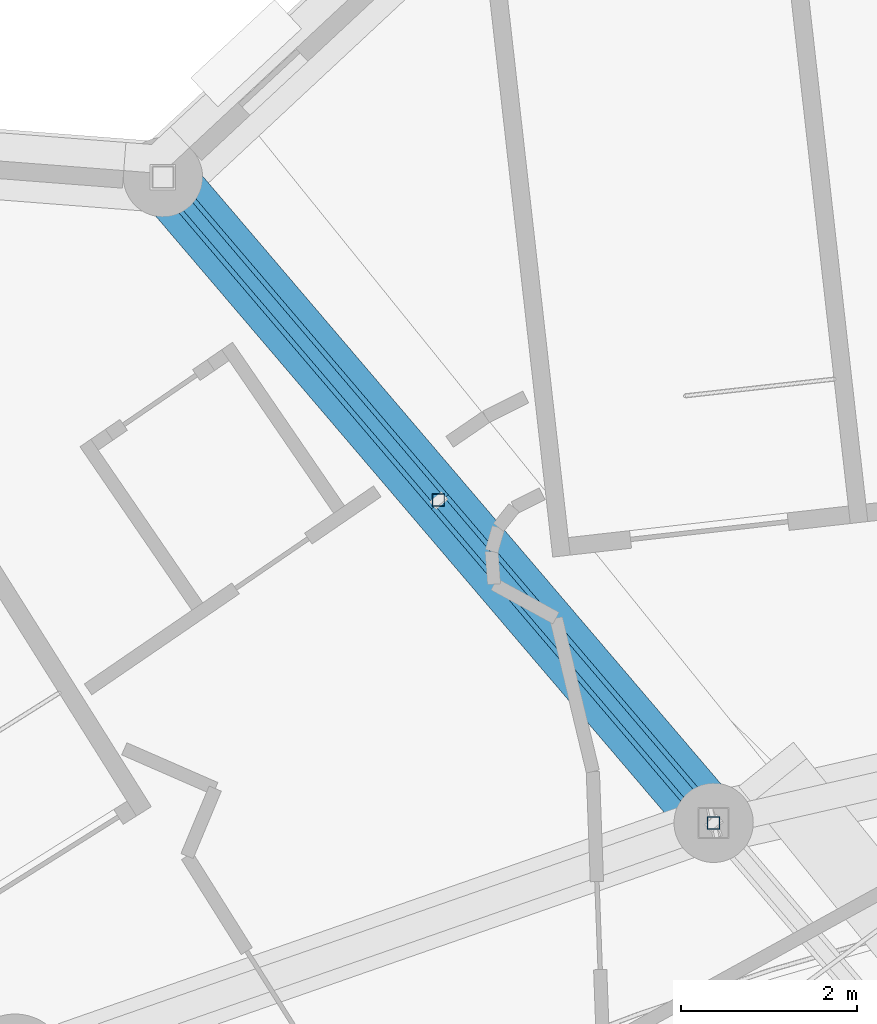
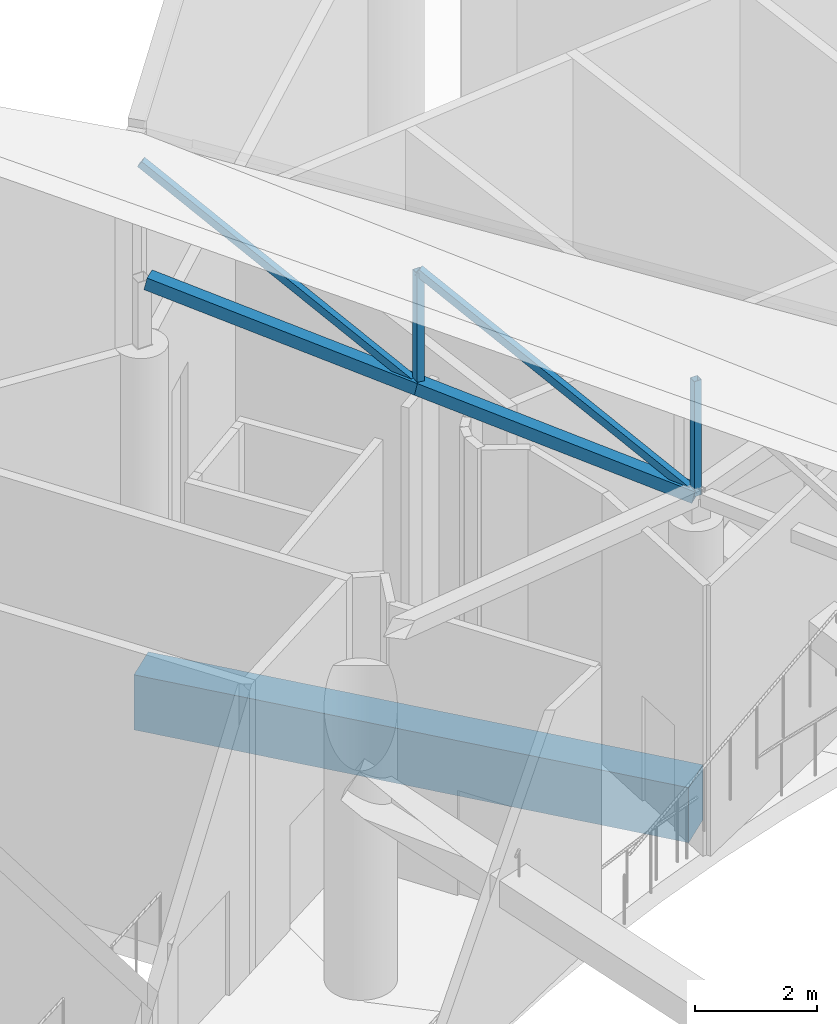
# One storey, part 159 of 344: 6 members, 1 beam.
"""IFC4 building model written with IfcOpenShell, lengths in metres."""

from ifc_helpers import new_model, si_unit, direction, frame, origin, origin_2d, place, context, subcontext, project, spatial, rectangle, hollow_rectangle, extrude, material, material_profile, profile_set, type_object, element, save


model = new_model("IFC4")

# Units and contexts
model_context = context("Model", 3, precision=1e-05, world=origin(), true_north=direction((0.0, 1.0)))
body_context = subcontext(model_context, "Body", "Model", "MODEL_VIEW")
ifc_project = project(units=[si_unit("LENGTHUNIT", "METRE"), si_unit("AREAUNIT", "SQUARE_METRE"), si_unit("VOLUMEUNIT", "CUBIC_METRE"), si_unit("PLANEANGLEUNIT", "RADIAN"), si_unit("MASSUNIT", "GRAM", prefix="KILO")], contexts=[model_context])

# Site, building, storey
site_placement = place(None, origin())
site = spatial("IfcSite", under=ifc_project, at=site_placement, CompositionType="ELEMENT")
building_placement = place(site_placement, origin())
building = spatial("IfcBuilding", under=site, at=building_placement, Name="Meseta Stadium", CompositionType="ELEMENT")
storey_placement = place(building_placement, frame((0.0, 0.0, 24.0)))
storey = spatial("IfcBuildingStorey", under=building, at=storey_placement, Name="L04", CompositionType="ELEMENT", Elevation=24.0)

# Beam
ifc_material_1 = material(Name="Concrete C40/50", Category="concrete")
ifc_material_profile_1 = material_profile(ifc_material_1, rectangle(XDim=0.699951171875, YDim=1.10009765625, at=origin_2d()), Name="RC 700x1100")
ifc_profile_set_1 = profile_set([ifc_material_profile_1], Name="Concrete C40/50")
beam_type = type_object("IfcBeamType", Name="RC beam 700x1100", PredefinedType="BEAM", material=ifc_profile_set_1)
beam_placement = place(storey_placement, frame((-55.799560546875, 88.541748046875, -0.949951171875), z_axis=(-0.648886206148, 0.760885465409, 0.0), x_axis=(-0.760885465409, -0.648886206148, 0.0)))
element("IfcBeam", 1, at=beam_placement, inside=storey, type_object=beam_type, Name="L04 radial beam frame 23 line P to R", PredefinedType="BEAM", context=body_context, shape_type="SweptSolid", body=[
    extrude(rectangle(XDim=0.699951171875, YDim=1.10009765625, at=origin_2d()), origin(), (0.0, 0.0, 1.0), 9.635009765625),
])

# Members
ifc_material_2 = material(Name="Steel S355", Category="steel")
ifc_material_profile_2 = material_profile(ifc_material_2, hollow_rectangle(XDim=0.139892578125, YDim=0.139892578125, WallThickness=0.0048828125, at=origin_2d()), Name="SHS 140x140x5")
ifc_profile_set_2 = profile_set([ifc_material_profile_2], Name="Steel S355")
member_type_1 = type_object("IfcMemberType", Name="SHS 140x140x5 diagonal", PredefinedType="BRACE", material=ifc_profile_set_2)
for number, where, z_axis, x_axis, name in (
    (2, (-55.799560546875, 88.541748046875, 5.24560546875), (-0.533506699904, 0.625591189657, 0.569215481677), (-0.760885465409, -0.648886206148, 0.0), "ROOF TRUSS RT-23 diagonal"),
    (3, (-58.925537109375, 92.207275390625, 6.28076171875), (-0.533506699904, 0.625591189657, 0.569215481677), (-0.760885465409, -0.648886206148, 0.0), "ROOF TRUSS RT-23 diagonal"),
):
    element("IfcMember", number, at=place(storey_placement, frame(where, z_axis=z_axis, x_axis=x_axis)), inside=storey, type_object=member_type_1, Name=name, PredefinedType="BRACE", context=body_context, shape_type="SweptSolid", body=[
        extrude(hollow_rectangle(XDim=0.139892578125, YDim=0.139892578125, WallThickness=0.0048828125, at=origin_2d()), origin(), (0.0, 0.0, 1.0), 5.859375),
    ])
ifc_material_3 = material(Name="Steel S355", Category="steel")
ifc_material_profile_3 = material_profile(ifc_material_3, hollow_rectangle(XDim=0.139892578125, YDim=0.139892578125, WallThickness=0.0048828125, at=origin_2d()), Name="SHS 140x140x5")
ifc_profile_set_3 = profile_set([ifc_material_profile_3], Name="Steel S355")
member_type_2 = type_object("IfcMemberType", Name="SHS 140x140x5 post", PredefinedType="POST", material=ifc_profile_set_3)
for number, where, z_axis, x_axis, name in (
    (4, (-55.799560546875, 88.541748046875, 5.24560546875), (0.0, 0.0, 1.0), (1.0, 0.0, 0.0), "ROOF TRUSS RT-23 post"),
    (5, (-58.925537109375, 92.207275390625, 6.28076171875), (0.0, 0.0, 1.0), (1.0, 0.0, 0.0), "ROOF TRUSS RT-23 post"),
):
    element("IfcMember", number, at=place(storey_placement, frame(where, z_axis=z_axis, x_axis=x_axis)), inside=storey, type_object=member_type_2, Name=name, PredefinedType="POST", context=body_context, shape_type="SweptSolid", body=[
        extrude(hollow_rectangle(XDim=0.139892578125, YDim=0.139892578125, WallThickness=0.0048828125, at=origin_2d()), origin(), (0.0, 0.0, 1.0), 2.300048828125),
    ])
ifc_material_4 = material(Name="Steel S355", Category="steel")
ifc_material_profile_4 = material_profile(ifc_material_4, hollow_rectangle(XDim=0.25, YDim=0.25, WallThickness=0.010009765625, at=origin_2d()), Name="SHS 250x250x10")
ifc_profile_set_4 = profile_set([ifc_material_profile_4], Name="Steel S355")
member_type_3 = type_object("IfcMemberType", Name="SHS 250x250x10 bottom chord", PredefinedType="CHORD", material=ifc_profile_set_4)
member_1_placement = place(storey_placement, frame((-55.799560546875, 88.541748046875, 5.24560546875), z_axis=(-0.634405621934, 0.743905498885, 0.210081211887), x_axis=(-0.760885465409, -0.648886206148, 0.0)))
element("IfcMember", 6, at=member_1_placement, inside=storey, type_object=member_type_3, Name="ROOF TRUSS RT-23 bottom chord", PredefinedType="CHORD", context=body_context, shape_type="SweptSolid", body=[
    extrude(hollow_rectangle(XDim=0.25, YDim=0.25, WallThickness=0.010009765625, at=origin_2d()), origin(), (0.0, 0.0, 1.0), 4.927490234375),
])
member_2_placement = place(storey_placement, frame((-58.925537109375, 92.207275390625, 6.28076171875), z_axis=(-0.634399105865, 0.743902725869, 0.21011070635), x_axis=(-0.760887561781, -0.64888374793, 0.0)))
element("IfcMember", 7, at=member_2_placement, inside=storey, type_object=member_type_3, Name="ROOF TRUSS RT-23 bottom chord", PredefinedType="CHORD", context=body_context, shape_type="SweptSolid", body=[
    extrude(hollow_rectangle(XDim=0.25, YDim=0.25, WallThickness=0.010009765625, at=origin_2d()), origin(), (0.0, 0.0, 1.0), 4.802490234375),
])

save(model, "model.ifc")
